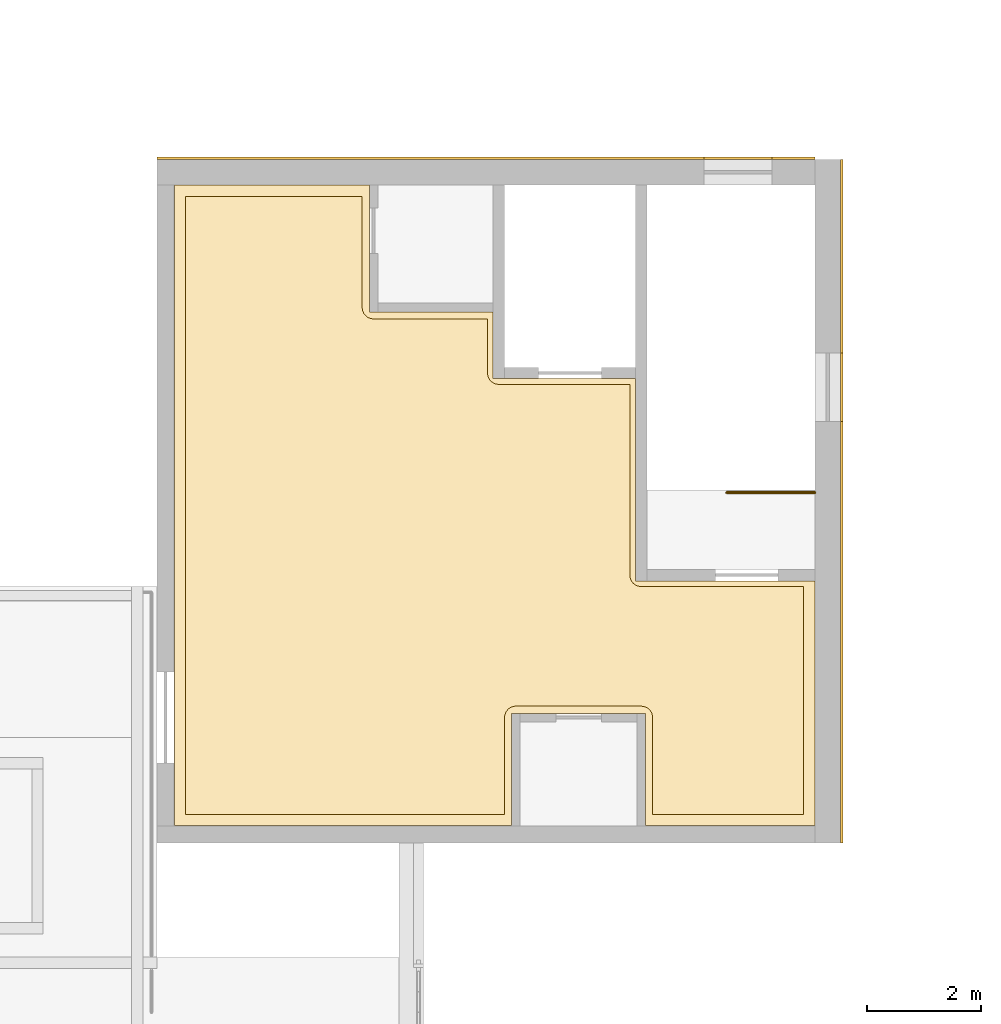
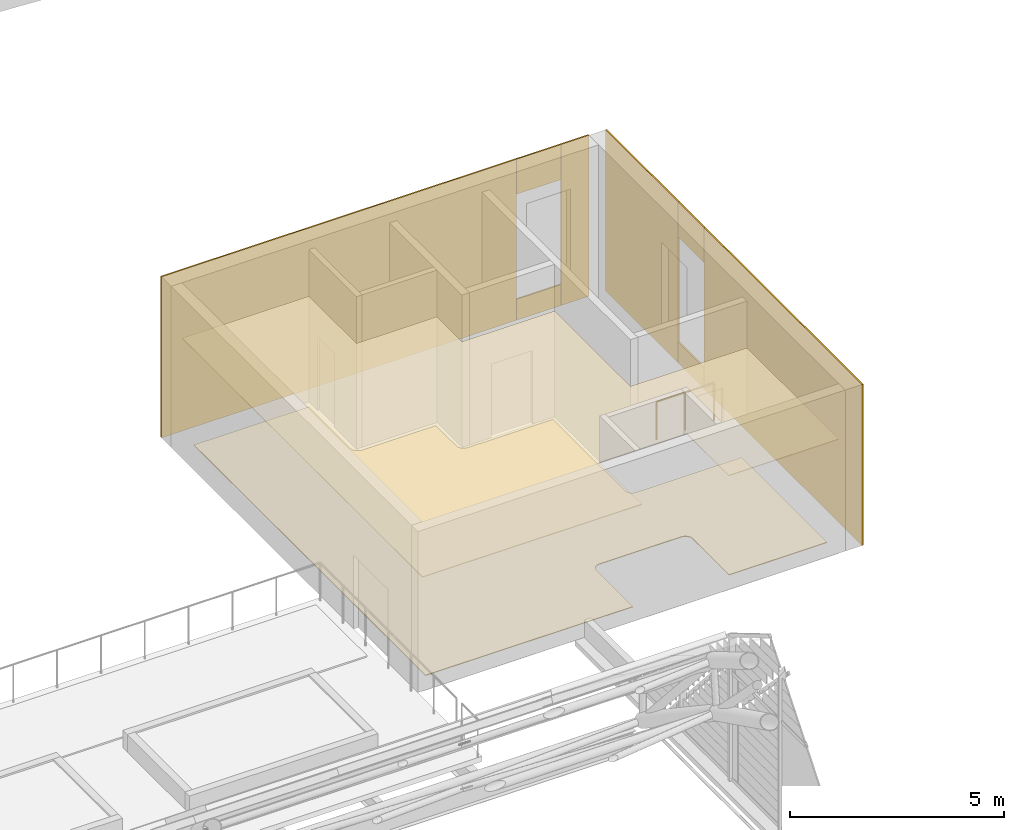
# One storey, part 108 of 110: 10 coverings, 1 railing.
"""IFC4 building model written with IfcOpenShell, lengths in metres."""

import ifcopenshell
import ifcopenshell.guid

model = None  # the IFC model being written
_history = None  # IfcOwnerHistory: only IFC2X3 demands one
_inside = {}  # id of a spatial element -> (the spatial element, [elements in it])
_under = {}  # id of a project, library or spatial element -> (it, [spatial elements below it])
_declared = {}  # id of a project -> (the project, [libraries it declares])
_typed = {}  # id of a type object -> (the type object, [elements of that type])
_made_of = {}  # id of a material, layer set ... -> (it, [elements and type objects made of it])


def new_model(schema):
    """Start an empty IFC model of exactly this schema.

    Asked for "IFC4X3", IfcOpenShell would pick the latest addendum, in which some entities
    have other attributes; the version numbers below select the first issue.
    IFC2X3 requires an IfcOwnerHistory on every rooted entity: one is made here for all.
    """
    global model, _history
    if schema == "IFC4X3":
        model = ifcopenshell.file(schema_version=(4, 3, 0, 0))
    else:
        model = ifcopenshell.file(schema=schema)
    _inside.clear()
    _under.clear()
    _declared.clear()
    _typed.clear()
    _made_of.clear()
    _history = None
    if model.schema == "IFC2X3":
        org = make("IfcOrganization", Name="unknown")
        user = make(
            "IfcPersonAndOrganization",
            ThePerson=make("IfcPerson", FamilyName="unknown"),
            TheOrganization=org,
        )
        app = make(
            "IfcApplication",
            ApplicationDeveloper=org,
            Version="unknown",
            ApplicationFullName="unknown",
            ApplicationIdentifier="unknown",
        )
        _history = make(
            "IfcOwnerHistory",
            OwningUser=user,
            OwningApplication=app,
            ChangeAction="ADDED",
            CreationDate=0,
        )
    return model


def make(cls, **values):
    """One entity of the class cls with the attributes given. An attribute that is None is left unset."""
    return model.create_entity(
        cls, **{name: value for name, value in values.items() if value is not None}
    )


def rooted(cls, **values):
    """An entity with a GlobalId (a new one), such as an element, a storey or a relation."""
    return make(cls, GlobalId=ifcopenshell.guid.new(), OwnerHistory=_history, **values)


def si_unit(unit_type, name, prefix=None):
    """IfcSIUnit, for example si_unit("LENGTHUNIT", "METRE", prefix="MILLI")."""
    return make("IfcSIUnit", UnitType=unit_type, Prefix=prefix, Name=name)


def assignment(units):
    """IfcUnitAssignment: the units of a project."""
    return None if units is None else make("IfcUnitAssignment", Units=units)


def point(xyz):
    """IfcCartesianPoint."""
    return None if xyz is None else make("IfcCartesianPoint", Coordinates=xyz)


def direction(xyz):
    """IfcDirection."""
    return None if xyz is None else make("IfcDirection", DirectionRatios=xyz)


def frame(location, z_axis=None, x_axis=None):
    """IfcAxis2Placement3D, a coordinate frame: its origin and axes. An axis left out is left unset."""
    return make(
        "IfcAxis2Placement3D",
        Location=point(location),
        Axis=direction(z_axis),
        RefDirection=direction(x_axis),
    )


def frame_2d(location, x_axis=None):
    """IfcAxis2Placement2D, a coordinate frame in the plane: its origin and x axis."""
    return make(
        "IfcAxis2Placement2D", Location=point(location), RefDirection=direction(x_axis)
    )


def origin():
    """The frame at (0, 0, 0) with its axes left unset."""
    return frame((0.0, 0.0, 0.0))


def origin_2d():
    """The frame at (0, 0) in the plane with its x axis left unset."""
    return frame_2d((0.0, 0.0))


def place(relative_to, where):
    """IfcLocalPlacement: puts the frame where relative to a parent placement (None: the world)."""
    return make(
        "IfcLocalPlacement", PlacementRelTo=relative_to, RelativePlacement=where
    )


def context(
    kind, dimensions, precision=None, world=None, true_north=None, identifier=None
):
    """IfcGeometricRepresentationContext, for example the 3D "Model" context."""
    return make(
        "IfcGeometricRepresentationContext",
        ContextIdentifier=identifier,
        ContextType=kind,
        CoordinateSpaceDimension=dimensions,
        Precision=precision,
        WorldCoordinateSystem=world,
        TrueNorth=true_north,
    )


def subcontext(parent, identifier, kind, view, scale=None):
    """IfcGeometricRepresentationSubContext, for example "Body" below "Model"."""
    return make(
        "IfcGeometricRepresentationSubContext",
        ContextIdentifier=identifier,
        ContextType=kind,
        ParentContext=parent,
        TargetScale=scale,
        TargetView=view,
    )


def project(units=None, contexts=None):
    """IfcProject with its units and contexts."""
    return rooted(
        "IfcProject",
        Name="project",
        RepresentationContexts=contexts,
        UnitsInContext=assignment(units),
    )


def spatial(cls, under=None, at=None, **own):
    """A site, building, storey or space (cls), placed at a placement, below another one or the project."""
    s = rooted(cls, ObjectPlacement=at, **own)
    if under is not None:
        _under.setdefault(under.id(), (under, []))[1].append(s)
    return s


def polyline(points):
    """IfcPolyline through the points."""
    return make("IfcPolyline", Points=[point(p) for p in points])


def profile(cls, at=None, kind="AREA", **sizes):
    """A parametric profile (cls). Its sizes go by their IFC names, for example OverallWidth=200.0."""
    return make(cls, ProfileType=kind, Position=at, **sizes)


def circle(**sizes):
    """IfcCircleProfileDef."""
    return profile("IfcCircleProfileDef", **sizes)


def outline(outer, holes=None, kind="AREA"):
    """IfcArbitraryClosedProfileDef: a profile drawn as a closed curve; with holes, ...WithVoids."""
    if holes is None:
        return make("IfcArbitraryClosedProfileDef", ProfileType=kind, OuterCurve=outer)
    return make(
        "IfcArbitraryProfileDefWithVoids",
        ProfileType=kind,
        OuterCurve=outer,
        InnerCurves=holes,
    )


def extrude(swept, where, along, depth):
    """IfcExtrudedAreaSolid: the profile swept, set in the frame where, extruded along a direction by depth."""
    return make(
        "IfcExtrudedAreaSolid",
        SweptArea=swept,
        Position=where,
        ExtrudedDirection=direction(along),
        Depth=depth,
    )


def shape(context_of_items, identifier, shape_type, items):
    """IfcShapeRepresentation: the items that make up one representation, for example the "Body"."""
    return make(
        "IfcShapeRepresentation",
        ContextOfItems=context_of_items,
        RepresentationIdentifier=identifier,
        RepresentationType=shape_type,
        Items=items,
    )


def material(Name=None, Category=None):
    """IfcMaterial."""
    return make("IfcMaterial", Name=Name, Category=Category)


def layer(
    of_material, thickness, ventilated=None, Name=None, Category=None, Priority=None
):
    """IfcMaterialLayer: one layer of a wall or slab, of a material (None: an air gap)."""
    return make(
        "IfcMaterialLayer",
        Material=of_material,
        LayerThickness=thickness,
        IsVentilated=ventilated,
        Name=Name,
        Category=Category,
        Priority=Priority,
    )


def layer_set(layers, Name=None):
    """IfcMaterialLayerSet."""
    return make("IfcMaterialLayerSet", MaterialLayers=layers, LayerSetName=Name)


def made_of(thing, what):
    """Note that an element or type object is made of a material, layer set ...; save() writes the relation."""
    if what is not None:
        _made_of.setdefault(what.id(), (what, []))[1].append(thing)
    return thing


def type_object(cls, material=None, **own):
    """A type object (cls), such as IfcWallType, which elements share."""
    return made_of(rooted(cls, **own), material)


def element(
    cls,
    number,
    at=None,
    inside=None,
    cuts=None,
    type_object=None,
    material=None,
    context=None,
    identifier="Body",
    shape_type=None,
    held_by="IfcProductDefinitionShape",
    body=None,
    shapes=None,
    **own,
):
    """One element of the class cls, such as IfcWall. Its Tag is "e" and its number.

    at: its placement. inside: the storey or other place that contains it. cuts: it is an
    opening in that element (IfcRelVoidsElement). A single representation is given by context,
    identifier, shape_type and body (its items); several are given by shapes. held_by: the class
    of the entity that holds the representations. save() writes the other relations.
    """
    e = rooted(cls, Tag="e%d" % number, ObjectPlacement=at, **own)
    if body is not None:
        shapes = [shape(context, identifier, shape_type, body)]
    if shapes is not None:
        e.Representation = make(held_by, Representations=shapes)
    if inside is not None:
        _inside.setdefault(inside.id(), (inside, []))[1].append(e)
    if cuts is not None:
        rooted(
            "IfcRelVoidsElement", RelatingBuildingElement=cuts, RelatedOpeningElement=e
        )
    if type_object is not None:
        _typed.setdefault(type_object.id(), (type_object, []))[1].append(e)
    return made_of(e, material)


def aggregate(whole, parts):
    """IfcRelAggregates: a whole, such as a stair, and the parts it consists of."""
    return rooted("IfcRelAggregates", RelatingObject=whole, RelatedObjects=parts)


def save(model, path):
    """Write the relations noted so far, then the file.

    IfcRelAggregates (storeys below a building ...), IfcRelContainedInSpatialStructure (elements
    in a storey), IfcRelDefinesByType, IfcRelAssociatesMaterial and IfcRelDeclares: one each for
    every whole, place, type object, material and project.
    """
    for whole, parts in _under.values():
        aggregate(whole, parts)
    for where, things in _inside.values():
        rooted(
            "IfcRelContainedInSpatialStructure",
            RelatedElements=things,
            RelatingStructure=where,
        )
    for kind, things in _typed.values():
        rooted("IfcRelDefinesByType", RelatedObjects=things, RelatingType=kind)
    for what, things in _made_of.values():
        rooted("IfcRelAssociatesMaterial", RelatedObjects=things, RelatingMaterial=what)
    for by, libraries in _declared.values():
        rooted("IfcRelDeclares", RelatingContext=by, RelatedDefinitions=libraries)
    model.write(path)


model = new_model("IFC4")

# Units and contexts
model_context = context("Model", 3, precision=1e-05, world=origin(), true_north=direction((0.0, 1.0)))
body_context = subcontext(model_context, "Body", "Model", "MODEL_VIEW")
ifc_project = project(units=[si_unit("LENGTHUNIT", "METRE"), si_unit("AREAUNIT", "SQUARE_METRE"), si_unit("VOLUMEUNIT", "CUBIC_METRE"), si_unit("PLANEANGLEUNIT", "RADIAN"), si_unit("MASSUNIT", "GRAM", prefix="KILO")], contexts=[model_context])

# Site, building, storey
site_placement = place(None, origin())
site = spatial("IfcSite", under=ifc_project, at=site_placement, CompositionType="ELEMENT")
building_placement = place(site_placement, origin())
building = spatial("IfcBuilding", under=site, at=building_placement, Name="Windward Yard Aquatics Centre", CompositionType="ELEMENT")
storey_placement = place(building_placement, frame((0.0, 0.0, 22.60009765625)))
storey = spatial("IfcBuildingStorey", under=building, at=storey_placement, Name="L05", CompositionType="ELEMENT", Elevation=22.60009765625)

# Covering
ifc_material_1 = material(Name="Polished screed")
ifc_layer_1 = layer(ifc_material_1, 0.0400390625)
ifc_layer_set_1 = layer_set([ifc_layer_1], Name="H Floor Finish Screed 40")
covering_type_1 = type_object("IfcCoveringType", Name="H Floor Finish Screed 40", PredefinedType="FLOORING", material=ifc_layer_set_1)
covering_1_placement = place(storey_placement, origin())
element("IfcCovering", 1, at=covering_1_placement, inside=storey, type_object=covering_type_1, Name="Core Lobby NE floor finish", PredefinedType="FLOORING", context=body_context, shape_type="SweptSolid", body=[
    extrude(outline(polyline([(140.5, 84.5), (140.5, 95.35009765625), (143.60009765625, 95.35009765625), (143.60009765625, 93.39990234375), (143.60107421875, 93.38037109375), (143.608642578125, 93.341796875), (143.62353515625, 93.3056640625), (143.6337890625, 93.288818359375), (143.65869140625, 93.258544921875), (143.68896484375, 93.233642578125), (143.723388671875, 93.215087890625), (143.741943359375, 93.20849609375), (143.780517578125, 93.200927734375), (143.800048828125, 93.199951171875), (145.800048828125, 93.199951171875), (145.801025390625, 92.23046875), (145.80859375, 92.19189453125), (145.815185546875, 92.173583984375), (145.833740234375, 92.138916015625), (145.845458984375, 92.123046875), (145.858642578125, 92.108642578125), (145.888916015625, 92.083740234375), (145.923583984375, 92.065185546875), (145.94189453125, 92.05859375), (145.98046875, 92.051025390625), (146.0, 92.050048828125), (148.300048828125, 92.050048828125), (148.300048828125, 88.699951171875), (148.3037109375, 88.660888671875), (148.315185546875, 88.62353515625), (148.333740234375, 88.5888671875), (148.358642578125, 88.55859375), (148.373046875, 88.54541015625), (148.40576171875, 88.523681640625), (148.44189453125, 88.508544921875), (148.48046875, 88.5009765625), (148.5, 88.5), (151.35009765625, 88.5), (151.35009765625, 84.5), (148.699951171875, 84.5), (148.698974609375, 86.219482421875), (148.69140625, 86.258056640625), (148.684814453125, 86.276611328125), (148.666259765625, 86.31103515625), (148.641357421875, 86.34130859375), (148.611083984375, 86.3662109375), (148.576416015625, 86.384765625), (148.5390625, 86.396240234375), (148.5, 86.39990234375), (146.300048828125, 86.39990234375), (146.280517578125, 86.39892578125), (146.241943359375, 86.391357421875), (146.205810546875, 86.37646484375), (146.173095703125, 86.3544921875), (146.15869140625, 86.34130859375), (146.1337890625, 86.31103515625), (146.115234375, 86.276611328125), (146.103759765625, 86.239013671875), (146.10009765625, 86.199951171875), (146.10009765625, 84.5), (140.5, 84.5)])), origin(), (0.0, 0.0, 1.0), 0.02001953125),
])

# Railing
ifc_material_2 = material(Name="Stainless steel 1.4529", Category="steel")
railing_type = type_object("IfcRailingType", Name="H Guard Steel 1100", PredefinedType="GUARDRAIL", material=ifc_material_2)
railing_placement = place(storey_placement, frame((151.550048828125, 90.14990234375, 0.0)))
element("IfcRailing", 2, at=railing_placement, inside=storey, type_object=railing_type, Name="L05 ST4 top well guard 1", PredefinedType="GUARDRAIL", context=body_context, shape_type="SweptSolid", body=[
    extrude(circle(Radius=0.02392578125, at=origin_2d()), frame((0.0, 0.0, 1.076171875), z_axis=(-1.0, 0.0, 0.0), x_axis=(0.0, -1.0, 0.0)), (0.0, 0.0, 1.0), 1.550048828125),
    extrude(circle(Radius=0.02099609375, at=origin_2d()), origin(), (0.0, 0.0, 1.0), 1.052001953125),
    extrude(circle(Radius=0.02099609375, at=origin_2d()), frame((-0.77490234375, 0.0, 0.0)), (0.0, 0.0, 1.0), 1.052001953125),
    extrude(circle(Radius=0.02099609375, at=origin_2d()), frame((-1.550048828125, 0.0, 0.0)), (0.0, 0.0, 1.0), 1.052001953125),
])

# Coverings
ifc_material_3 = material(Name="Mineral fibre tile")
ifc_layer_2 = layer(ifc_material_3, 0.02001953125)
ifc_layer_set_2 = layer_set([ifc_layer_2], Name="H Suspended Ceiling 600 x 600")
covering_type_2 = type_object("IfcCoveringType", Name="H Suspended Ceiling 600 x 600", PredefinedType="CEILING", material=ifc_layer_set_2)
covering_2_placement = place(storey_placement, frame((0.0, 0.0, 3.0)))
element("IfcCovering", 3, at=covering_2_placement, inside=storey, type_object=covering_type_2, Name="Core Lobby NE ceiling", PredefinedType="CEILING", context=body_context, shape_type="SweptSolid", body=[
    extrude(outline(polyline([(140.300537109375, 84.300537109375), (140.300537109375, 95.549560546875), (143.724609375, 95.549560546875), (143.724609375, 93.324951171875), (145.8994140625, 93.324462890625), (145.8994140625, 92.14990234375), (148.3994140625, 92.1494140625), (148.3994140625, 88.60009765625), (151.549560546875, 88.599609375), (151.549560546875, 84.300537109375), (148.575439453125, 84.300537109375), (148.575439453125, 86.27490234375), (148.425048828125, 86.275390625), (146.224609375, 86.27490234375), (146.224609375, 84.300537109375), (140.300537109375, 84.300537109375)])), origin(), (0.0, 0.0, 1.0), 0.02001953125),
])
ifc_material_4 = material(Name="Natural limestone cladding", Category="masonry")
ifc_layer_3 = layer(ifc_material_4, 0.0400390625)
ifc_layer_set_3 = layer_set([ifc_layer_3], Name="H natural stone cladding 40")
covering_type_3 = type_object("IfcCoveringType", Name="H natural stone cladding 40", PredefinedType="CLADDING", material=ifc_layer_set_3)
covering_3_placement = place(storey_placement, origin())
element("IfcCovering", 4, at=covering_3_placement, inside=storey, type_object=covering_type_3, Name="Stone cladding panel 34", PredefinedType="CLADDING", context=body_context, shape_type="SweptSolid", body=[
    extrude(outline(polyline([(152.0, 92.60009765625), (152.0400390625, 92.60009765625), (152.0400390625, 96.0), (152.0, 96.0), (152.0, 92.60009765625)])), origin(), (0.0, 0.0, 1.0), 4.599853515625),
])
covering_4_placement = place(storey_placement, origin())
element("IfcCovering", 5, at=covering_4_placement, inside=storey, type_object=covering_type_3, Name="Stone cladding panel 35", PredefinedType="CLADDING", context=body_context, shape_type="SweptSolid", body=[
    extrude(outline(polyline([(152.0, 91.39990234375), (152.0400390625, 91.39990234375), (152.0400390625, 92.60009765625), (152.0, 92.60009765625), (152.0, 91.39990234375)])), origin(), (0.0, 0.0, 1.0), 0.599853515625),
])
covering_5_placement = place(storey_placement, frame((0.0, 0.0, 3.599853515625)))
element("IfcCovering", 6, at=covering_5_placement, inside=storey, type_object=covering_type_3, Name="Stone cladding panel 36", PredefinedType="CLADDING", context=body_context, shape_type="SweptSolid", body=[
    extrude(outline(polyline([(152.0, 91.39990234375), (152.0400390625, 91.39990234375), (152.0400390625, 92.60009765625), (152.0, 92.60009765625), (152.0, 91.39990234375)])), origin(), (0.0, 0.0, 1.0), 1.0),
])
covering_6_placement = place(storey_placement, origin())
element("IfcCovering", 7, at=covering_6_placement, inside=storey, type_object=covering_type_3, Name="Stone cladding panel 37", PredefinedType="CLADDING", context=body_context, shape_type="SweptSolid", body=[
    extrude(outline(polyline([(152.0, 84.0), (152.0400390625, 84.0), (152.0400390625, 91.39990234375), (152.0, 91.39990234375), (152.0, 84.0)])), origin(), (0.0, 0.0, 1.0), 4.599853515625),
])
covering_7_placement = place(storey_placement, origin())
element("IfcCovering", 8, at=covering_7_placement, inside=storey, type_object=covering_type_3, Name="Stone cladding panel 58", PredefinedType="CLADDING", context=body_context, shape_type="SweptSolid", body=[
    extrude(outline(polyline([(150.800048828125, 96.0), (150.800048828125, 96.0400390625), (151.550048828125, 96.0400390625), (151.550048828125, 96.0), (150.800048828125, 96.0)])), origin(), (0.0, 0.0, 1.0), 4.599853515625),
])
covering_8_placement = place(storey_placement, origin())
element("IfcCovering", 9, at=covering_8_placement, inside=storey, type_object=covering_type_3, Name="Stone cladding panel 59", PredefinedType="CLADDING", context=body_context, shape_type="SweptSolid", body=[
    extrude(outline(polyline([(149.60009765625, 96.0), (149.60009765625, 96.0400390625), (150.800048828125, 96.0400390625), (150.800048828125, 96.0), (149.60009765625, 96.0)])), origin(), (0.0, 0.0, 1.0), 0.599853515625),
])
covering_9_placement = place(storey_placement, frame((0.0, 0.0, 3.599853515625)))
element("IfcCovering", 10, at=covering_9_placement, inside=storey, type_object=covering_type_3, Name="Stone cladding panel 60", PredefinedType="CLADDING", context=body_context, shape_type="SweptSolid", body=[
    extrude(outline(polyline([(149.60009765625, 96.0), (149.60009765625, 96.0400390625), (150.800048828125, 96.0400390625), (150.800048828125, 96.0), (149.60009765625, 96.0)])), origin(), (0.0, 0.0, 1.0), 1.0),
])
covering_10_placement = place(storey_placement, origin())
element("IfcCovering", 11, at=covering_10_placement, inside=storey, type_object=covering_type_3, Name="Stone cladding panel 61", PredefinedType="CLADDING", context=body_context, shape_type="SweptSolid", body=[
    extrude(outline(polyline([(140.0, 96.0), (140.0, 96.0400390625), (149.60009765625, 96.0400390625), (149.60009765625, 96.0), (140.0, 96.0)])), origin(), (0.0, 0.0, 1.0), 4.599853515625),
])

save(model, "model.ifc")
